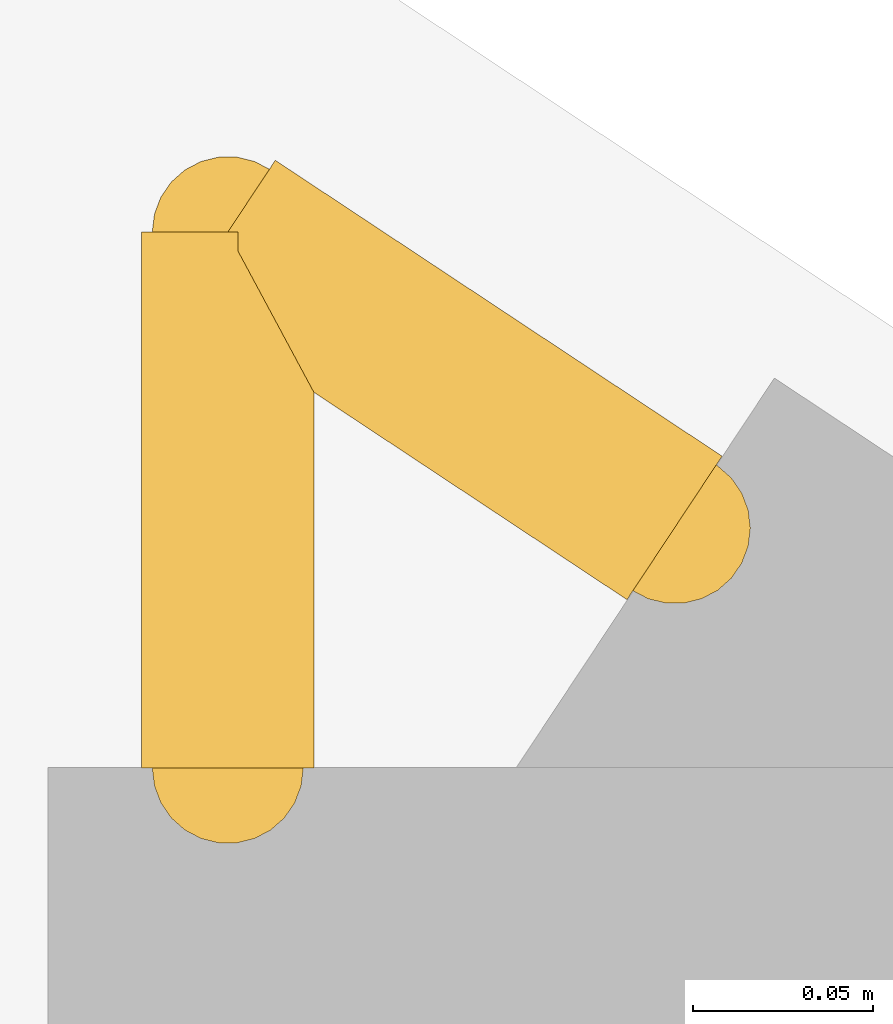
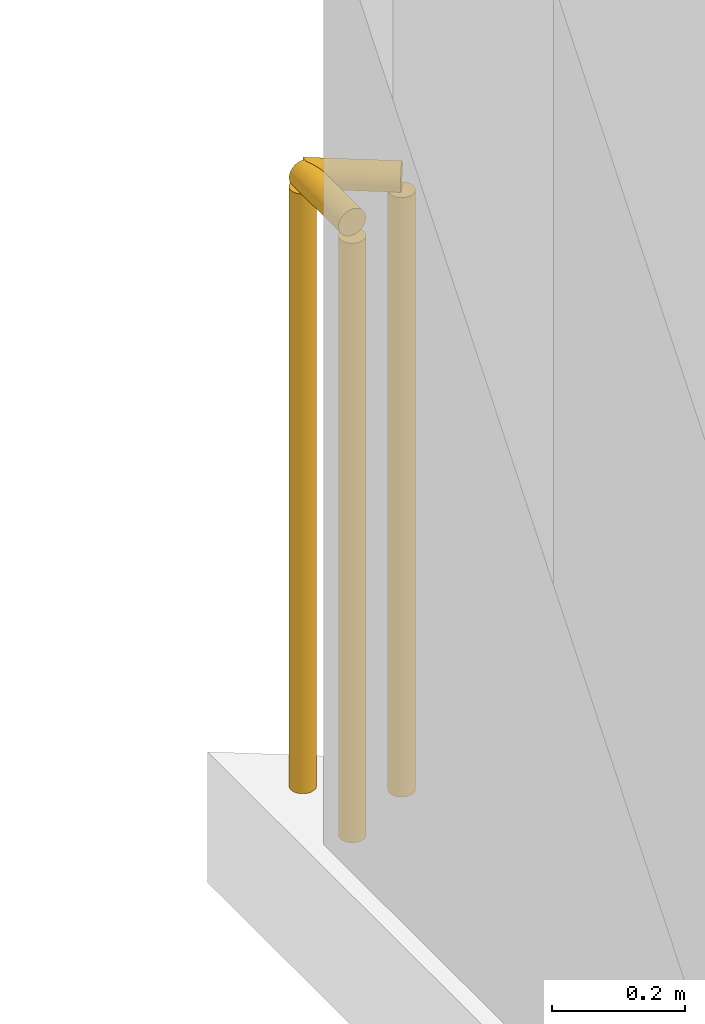
# One storey, part 17 of 18: 2 railings.
"""IFC4 building model written with IfcOpenShell, lengths in metres."""

from ifc_helpers import new_model, si_unit, direction, frame, origin, origin_2d, place, context, subcontext, project, spatial, circle, extrude, material, type_object, element, save


model = new_model("IFC4")

# Units and contexts
model_context = context("Model", 3, precision=1e-05, world=origin(), true_north=direction((0.0, 1.0)))
body_context = subcontext(model_context, "Body", "Model", "MODEL_VIEW")
ifc_project = project(units=[si_unit("LENGTHUNIT", "METRE"), si_unit("AREAUNIT", "SQUARE_METRE"), si_unit("VOLUMEUNIT", "CUBIC_METRE"), si_unit("PLANEANGLEUNIT", "RADIAN"), si_unit("MASSUNIT", "GRAM", prefix="KILO")], contexts=[model_context])

# Site, building, storey
site_placement = place(None, origin())
site = spatial("IfcSite", under=ifc_project, at=site_placement, CompositionType="ELEMENT")
building_placement = place(site_placement, origin())
building = spatial("IfcBuilding", under=site, at=building_placement, Name="Varnakote Quay Hospital", CompositionType="ELEMENT")
storey_placement = place(building_placement, frame((0.0, 0.0, 123.10009765625)))
storey = spatial("IfcBuildingStorey", under=building, at=storey_placement, Name="L30", CompositionType="ELEMENT", Elevation=123.10009765625)

# Railings
ifc_material = material(Name="Anodised aluminium 6063-T6 Bronze", Category="aluminium")
railing_type = type_object("IfcRailingType", Name="RLG-EXT-GUARD-1150", PredefinedType="GUARDRAIL", material=ifc_material)
railing_1_placement = place(storey_placement, frame((2.679931640625, 43.10205078125, 0.0)))
element("IfcRailing", 1, at=railing_1_placement, inside=storey, type_object=railing_type, Name="L30 Slab Edge Perimeter Safety Guard", PredefinedType="GUARDRAIL", context=body_context, shape_type="SweptSolid", body=[
    extrude(circle(Radius=0.02392578125, at=origin_2d()), frame((0.0, 0.0, 1.1259765625), z_axis=(0.0, 1.0, 0.0), x_axis=(-1.0, 0.0, 0.0)), (0.0, 0.0, 1.0), 0.14892578125),
    extrude(circle(Radius=0.02099609375, at=origin_2d()), origin(), (0.0, 0.0, 1.0), 1.101806640625),
    extrude(circle(Radius=0.02099609375, at=origin_2d()), frame((0.0, 0.14892578125, 0.0)), (0.0, 0.0, 1.0), 1.101806640625),
])
railing_2_placement = place(storey_placement, frame((2.679931640625, 43.2509765625, 0.0)))
element("IfcRailing", 2, at=railing_2_placement, inside=storey, type_object=railing_type, Name="L30 Slab Edge Perimeter Safety Guard", PredefinedType="GUARDRAIL", context=body_context, shape_type="SweptSolid", body=[
    extrude(circle(Radius=0.02392578125, at=origin_2d()), frame((0.0, 0.0, 1.1259765625), z_axis=(0.833810230731, -0.552051174374, 0.0), x_axis=(0.552051174374, 0.833810230731, 0.0)), (0.0, 0.0, 1.0), 0.14892578125),
    extrude(circle(Radius=0.02099609375, at=origin_2d()), origin(), (0.0, 0.0, 1.0), 1.101806640625),
    extrude(circle(Radius=0.02099609375, at=origin_2d()), frame((0.124267578125, -0.082275390625, 0.0)), (0.0, 0.0, 1.0), 1.101806640625),
])

save(model, "model.ifc")
